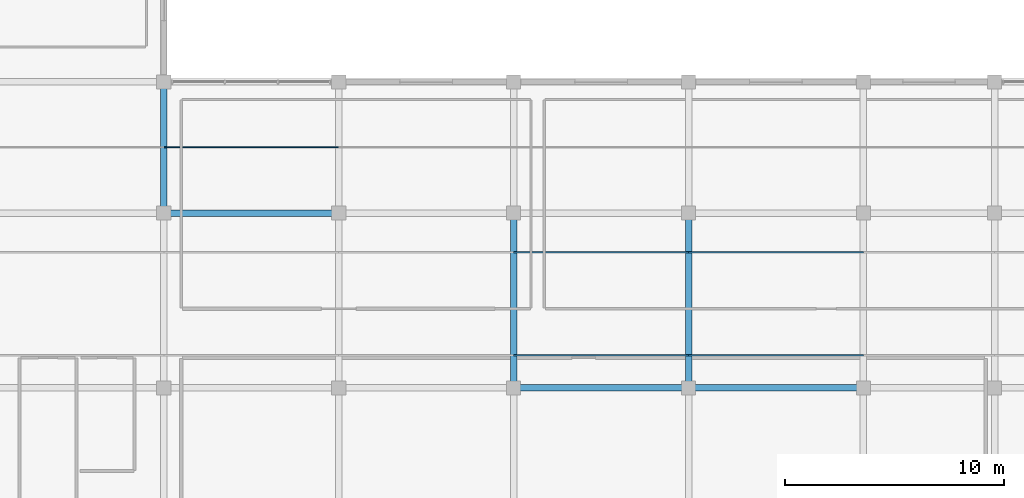
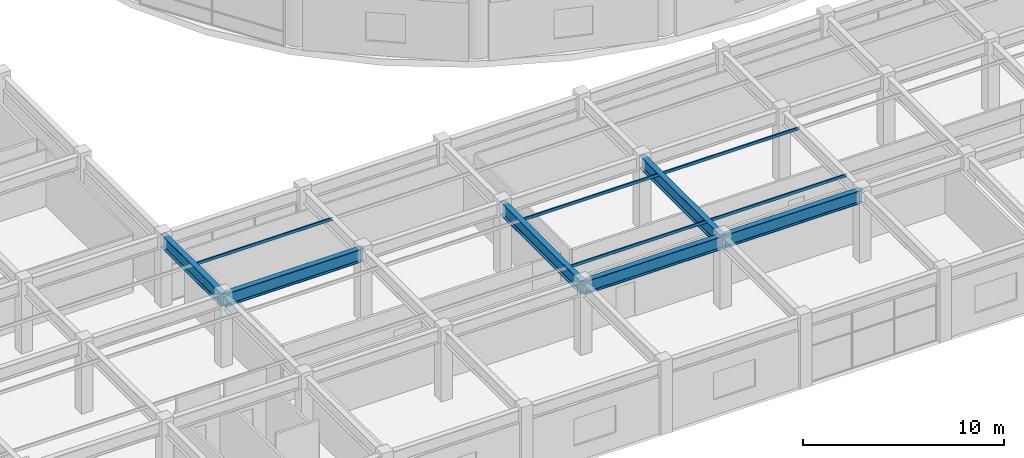
# One storey, part 5 of 46: 6 beams, 5 members.
"""IFC4 building model written with IfcOpenShell, lengths in metres."""

import ifcopenshell
import ifcopenshell.guid

model = None  # the IFC model being written
_history = None  # IfcOwnerHistory: only IFC2X3 demands one
_inside = {}  # id of a spatial element -> (the spatial element, [elements in it])
_under = {}  # id of a project, library or spatial element -> (it, [spatial elements below it])
_declared = {}  # id of a project -> (the project, [libraries it declares])
_typed = {}  # id of a type object -> (the type object, [elements of that type])
_made_of = {}  # id of a material, layer set ... -> (it, [elements and type objects made of it])


def new_model(schema):
    """Start an empty IFC model of exactly this schema.

    Asked for "IFC4X3", IfcOpenShell would pick the latest addendum, in which some entities
    have other attributes; the version numbers below select the first issue.
    IFC2X3 requires an IfcOwnerHistory on every rooted entity: one is made here for all.
    """
    global model, _history
    if schema == "IFC4X3":
        model = ifcopenshell.file(schema_version=(4, 3, 0, 0))
    else:
        model = ifcopenshell.file(schema=schema)
    _inside.clear()
    _under.clear()
    _declared.clear()
    _typed.clear()
    _made_of.clear()
    _history = None
    if model.schema == "IFC2X3":
        org = make("IfcOrganization", Name="unknown")
        user = make(
            "IfcPersonAndOrganization",
            ThePerson=make("IfcPerson", FamilyName="unknown"),
            TheOrganization=org,
        )
        app = make(
            "IfcApplication",
            ApplicationDeveloper=org,
            Version="unknown",
            ApplicationFullName="unknown",
            ApplicationIdentifier="unknown",
        )
        _history = make(
            "IfcOwnerHistory",
            OwningUser=user,
            OwningApplication=app,
            ChangeAction="ADDED",
            CreationDate=0,
        )
    return model


def make(cls, **values):
    """One entity of the class cls with the attributes given. An attribute that is None is left unset."""
    return model.create_entity(
        cls, **{name: value for name, value in values.items() if value is not None}
    )


def rooted(cls, **values):
    """An entity with a GlobalId (a new one), such as an element, a storey or a relation."""
    return make(cls, GlobalId=ifcopenshell.guid.new(), OwnerHistory=_history, **values)


def si_unit(unit_type, name, prefix=None):
    """IfcSIUnit, for example si_unit("LENGTHUNIT", "METRE", prefix="MILLI")."""
    return make("IfcSIUnit", UnitType=unit_type, Prefix=prefix, Name=name)


def assignment(units):
    """IfcUnitAssignment: the units of a project."""
    return None if units is None else make("IfcUnitAssignment", Units=units)


def point(xyz):
    """IfcCartesianPoint."""
    return None if xyz is None else make("IfcCartesianPoint", Coordinates=xyz)


def direction(xyz):
    """IfcDirection."""
    return None if xyz is None else make("IfcDirection", DirectionRatios=xyz)


def frame(location, z_axis=None, x_axis=None):
    """IfcAxis2Placement3D, a coordinate frame: its origin and axes. An axis left out is left unset."""
    return make(
        "IfcAxis2Placement3D",
        Location=point(location),
        Axis=direction(z_axis),
        RefDirection=direction(x_axis),
    )


def frame_2d(location, x_axis=None):
    """IfcAxis2Placement2D, a coordinate frame in the plane: its origin and x axis."""
    return make(
        "IfcAxis2Placement2D", Location=point(location), RefDirection=direction(x_axis)
    )


def origin():
    """The frame at (0, 0, 0) with its axes left unset."""
    return frame((0.0, 0.0, 0.0))


def origin_2d():
    """The frame at (0, 0) in the plane with its x axis left unset."""
    return frame_2d((0.0, 0.0))


def place(relative_to, where):
    """IfcLocalPlacement: puts the frame where relative to a parent placement (None: the world)."""
    return make(
        "IfcLocalPlacement", PlacementRelTo=relative_to, RelativePlacement=where
    )


def context(
    kind, dimensions, precision=None, world=None, true_north=None, identifier=None
):
    """IfcGeometricRepresentationContext, for example the 3D "Model" context."""
    return make(
        "IfcGeometricRepresentationContext",
        ContextIdentifier=identifier,
        ContextType=kind,
        CoordinateSpaceDimension=dimensions,
        Precision=precision,
        WorldCoordinateSystem=world,
        TrueNorth=true_north,
    )


def subcontext(parent, identifier, kind, view, scale=None):
    """IfcGeometricRepresentationSubContext, for example "Body" below "Model"."""
    return make(
        "IfcGeometricRepresentationSubContext",
        ContextIdentifier=identifier,
        ContextType=kind,
        ParentContext=parent,
        TargetScale=scale,
        TargetView=view,
    )


def project(units=None, contexts=None):
    """IfcProject with its units and contexts."""
    return rooted(
        "IfcProject",
        Name="project",
        RepresentationContexts=contexts,
        UnitsInContext=assignment(units),
    )


def spatial(cls, under=None, at=None, **own):
    """A site, building, storey or space (cls), placed at a placement, below another one or the project."""
    s = rooted(cls, ObjectPlacement=at, **own)
    if under is not None:
        _under.setdefault(under.id(), (under, []))[1].append(s)
    return s


def profile(cls, at=None, kind="AREA", **sizes):
    """A parametric profile (cls). Its sizes go by their IFC names, for example OverallWidth=200.0."""
    return make(cls, ProfileType=kind, Position=at, **sizes)


def hollow_rectangle(**sizes):
    """IfcRectangleHollowProfileDef."""
    return profile("IfcRectangleHollowProfileDef", **sizes)


def i_section(**sizes):
    """IfcIShapeProfileDef."""
    return profile("IfcIShapeProfileDef", **sizes)


def extrude(swept, where, along, depth):
    """IfcExtrudedAreaSolid: the profile swept, set in the frame where, extruded along a direction by depth."""
    return make(
        "IfcExtrudedAreaSolid",
        SweptArea=swept,
        Position=where,
        ExtrudedDirection=direction(along),
        Depth=depth,
    )


def shape(context_of_items, identifier, shape_type, items):
    """IfcShapeRepresentation: the items that make up one representation, for example the "Body"."""
    return make(
        "IfcShapeRepresentation",
        ContextOfItems=context_of_items,
        RepresentationIdentifier=identifier,
        RepresentationType=shape_type,
        Items=items,
    )


def material(Name=None, Category=None):
    """IfcMaterial."""
    return make("IfcMaterial", Name=Name, Category=Category)


def material_profile(
    of_material, cross_section, Name=None, Category=None, Priority=None
):
    """IfcMaterialProfile: a cross section and its material."""
    return make(
        "IfcMaterialProfile",
        Name=Name,
        Material=of_material,
        Profile=cross_section,
        Priority=Priority,
        Category=Category,
    )


def profile_set(profiles, Name=None, composite=None):
    """IfcMaterialProfileSet."""
    return make(
        "IfcMaterialProfileSet",
        Name=Name,
        MaterialProfiles=profiles,
        CompositeProfile=composite,
    )


def made_of(thing, what):
    """Note that an element or type object is made of a material, layer set ...; save() writes the relation."""
    if what is not None:
        _made_of.setdefault(what.id(), (what, []))[1].append(thing)
    return thing


def type_object(cls, material=None, **own):
    """A type object (cls), such as IfcWallType, which elements share."""
    return made_of(rooted(cls, **own), material)


def element(
    cls,
    number,
    at=None,
    inside=None,
    cuts=None,
    type_object=None,
    material=None,
    context=None,
    identifier="Body",
    shape_type=None,
    held_by="IfcProductDefinitionShape",
    body=None,
    shapes=None,
    **own,
):
    """One element of the class cls, such as IfcWall. Its Tag is "e" and its number.

    at: its placement. inside: the storey or other place that contains it. cuts: it is an
    opening in that element (IfcRelVoidsElement). A single representation is given by context,
    identifier, shape_type and body (its items); several are given by shapes. held_by: the class
    of the entity that holds the representations. save() writes the other relations.
    """
    e = rooted(cls, Tag="e%d" % number, ObjectPlacement=at, **own)
    if body is not None:
        shapes = [shape(context, identifier, shape_type, body)]
    if shapes is not None:
        e.Representation = make(held_by, Representations=shapes)
    if inside is not None:
        _inside.setdefault(inside.id(), (inside, []))[1].append(e)
    if cuts is not None:
        rooted(
            "IfcRelVoidsElement", RelatingBuildingElement=cuts, RelatedOpeningElement=e
        )
    if type_object is not None:
        _typed.setdefault(type_object.id(), (type_object, []))[1].append(e)
    return made_of(e, material)


def aggregate(whole, parts):
    """IfcRelAggregates: a whole, such as a stair, and the parts it consists of."""
    return rooted("IfcRelAggregates", RelatingObject=whole, RelatedObjects=parts)


def save(model, path):
    """Write the relations noted so far, then the file.

    IfcRelAggregates (storeys below a building ...), IfcRelContainedInSpatialStructure (elements
    in a storey), IfcRelDefinesByType, IfcRelAssociatesMaterial and IfcRelDeclares: one each for
    every whole, place, type object, material and project.
    """
    for whole, parts in _under.values():
        aggregate(whole, parts)
    for where, things in _inside.values():
        rooted(
            "IfcRelContainedInSpatialStructure",
            RelatedElements=things,
            RelatingStructure=where,
        )
    for kind, things in _typed.values():
        rooted("IfcRelDefinesByType", RelatedObjects=things, RelatingType=kind)
    for what, things in _made_of.values():
        rooted("IfcRelAssociatesMaterial", RelatedObjects=things, RelatingMaterial=what)
    for by, libraries in _declared.values():
        rooted("IfcRelDeclares", RelatingContext=by, RelatedDefinitions=libraries)
    model.write(path)


model = new_model("IFC4")

# Units and contexts
model_context = context("Model", 3, precision=1e-05, world=origin(), true_north=direction((0.0, 1.0)))
body_context = subcontext(model_context, "Body", "Model", "MODEL_VIEW")
ifc_project = project(units=[si_unit("LENGTHUNIT", "METRE"), si_unit("AREAUNIT", "SQUARE_METRE"), si_unit("VOLUMEUNIT", "CUBIC_METRE"), si_unit("PLANEANGLEUNIT", "RADIAN"), si_unit("MASSUNIT", "GRAM", prefix="KILO")], contexts=[model_context])

# Site, building, storey
site_placement = place(None, origin())
site = spatial("IfcSite", under=ifc_project, at=site_placement, CompositionType="ELEMENT")
building_placement = place(site_placement, origin())
building = spatial("IfcBuilding", under=site, at=building_placement, Name="Kelanora Arch Commons", CompositionType="ELEMENT")
storey_placement = place(building_placement, frame((0.0, 0.0, 18.0)))
storey = spatial("IfcBuildingStorey", under=building, at=storey_placement, Name="L04", CompositionType="ELEMENT", Elevation=18.0)

# Beams
ifc_material = material(Name="Steel S355", Category="steel")
ifc_material_profile_1 = material_profile(ifc_material, i_section(OverallWidth=0.300048828125, OverallDepth=0.800048828125, WebThickness=0.017578125, FlangeThickness=0.032958984375, FilletRadius=0.030029296875, at=origin_2d()), Name="HEB800")
ifc_profile_set_1 = profile_set([ifc_material_profile_1], Name="Steel S355")
beam_type = type_object("IfcBeamType", Name="BM-MKT-ROOF", PredefinedType="USERDEFINED", material=ifc_profile_set_1)
beam_1_placement = place(storey_placement, frame((36.0, 20.0, 3.860107421875), z_axis=(1.0, 0.0, 0.0), x_axis=(0.0, 1.0, 0.0)))
element("IfcBeam", 1, at=beam_1_placement, inside=storey, type_object=beam_type, Name="Market/Basement Frame Beam 084 L04", ObjectType="TRANSFER_GIRDER", PredefinedType="USERDEFINED", context=body_context, shape_type="SweptSolid", body=[
    extrude(i_section(OverallWidth=0.300048828125, OverallDepth=0.800048828125, WebThickness=0.017578125, FlangeThickness=0.032958984375, FilletRadius=0.030029296875, at=origin_2d()), origin(), (0.0, 0.0, 1.0), 8.0),
])
beam_2_placement = place(storey_placement, frame((36.0, 20.0, 3.860107421875), z_axis=(0.0, 1.0, 0.0), x_axis=(-1.0, 0.0, 0.0)))
element("IfcBeam", 2, at=beam_2_placement, inside=storey, type_object=beam_type, Name="Market/Basement Frame Beam 085 L04", ObjectType="TRANSFER_GIRDER", PredefinedType="USERDEFINED", context=body_context, shape_type="SweptSolid", body=[
    extrude(i_section(OverallWidth=0.300048828125, OverallDepth=0.800048828125, WebThickness=0.017578125, FlangeThickness=0.032958984375, FilletRadius=0.030029296875, at=origin_2d()), origin(), (0.0, 0.0, 1.0), 6.0),
])
for number, where, z_axis, x_axis, name in (
    (3, (52.0, 12.0, 3.860107421875), (1.0, 0.0, 0.0), (0.0, 1.0, 0.0), "Market/Basement Frame Beam 103 L04"),
    (4, (52.0, 12.0, 3.860107421875), (0.0, 1.0, 0.0), (-1.0, 0.0, 0.0), "Market/Basement Frame Beam 104 L04"),
    (5, (60.0, 12.0, 3.860107421875), (1.0, 0.0, 0.0), (0.0, 1.0, 0.0), "Market/Basement Frame Beam 110 L04"),
    (6, (60.0, 12.0, 3.860107421875), (0.0, 1.0, 0.0), (-1.0, 0.0, 0.0), "Market/Basement Frame Beam 111 L04"),
):
    element("IfcBeam", number, at=place(storey_placement, frame(where, z_axis=z_axis, x_axis=x_axis)), inside=storey, type_object=beam_type, Name=name, ObjectType="TRANSFER_GIRDER", PredefinedType="USERDEFINED", context=body_context, shape_type="SweptSolid", body=[
        extrude(i_section(OverallWidth=0.300048828125, OverallDepth=0.800048828125, WebThickness=0.017578125, FlangeThickness=0.032958984375, FilletRadius=0.030029296875, at=origin_2d()), origin(), (0.0, 0.0, 1.0), 8.0),
    ])

# Members
ifc_material_profile_2 = material_profile(ifc_material, hollow_rectangle(XDim=0.070068359375, YDim=0.179931640625, WallThickness=0.0048828125, InnerFilletRadius=0.0048828125, OuterFilletRadius=0.010009765625, at=origin_2d()), Name="RHS180x70x5")
ifc_profile_set_2 = profile_set([ifc_material_profile_2], Name="Steel S355")
member_type = type_object("IfcMemberType", Name="MEM-MKT-PURLIN", PredefinedType="PURLIN", material=ifc_profile_set_2)
for number, where, z_axis, x_axis, name in (
    (7, (52.0, 13.5, 4.14990234375), (1.0, 0.0, 0.0), (0.0, 1.0, 0.0), "Market Hall Roof Purlin 07"),
    (8, (60.0, 13.5, 4.14990234375), (1.0, 0.0, 0.0), (0.0, 1.0, 0.0), "Market Hall Roof Purlin 08"),
    (9, (52.0, 18.199951171875, 4.14990234375), (1.0, 0.0, 0.0), (0.0, 1.0, 0.0), "Market Hall Roof Purlin 19"),
    (10, (60.0, 18.199951171875, 4.14990234375), (1.0, 0.0, 0.0), (0.0, 1.0, 0.0), "Market Hall Roof Purlin 20"),
    (11, (36.0, 23.0, 4.14990234375), (1.0, 0.0, 0.0), (0.0, 1.0, 0.0), "Market Hall Roof Purlin 29"),
):
    element("IfcMember", number, at=place(storey_placement, frame(where, z_axis=z_axis, x_axis=x_axis)), inside=storey, type_object=member_type, Name=name, PredefinedType="PURLIN", context=body_context, shape_type="SweptSolid", body=[
        extrude(hollow_rectangle(XDim=0.070068359375, YDim=0.179931640625, WallThickness=0.0048828125, InnerFilletRadius=0.0048828125, OuterFilletRadius=0.010009765625, at=origin_2d()), origin(), (0.0, 0.0, 1.0), 8.0),
    ])

save(model, "model.ifc")
